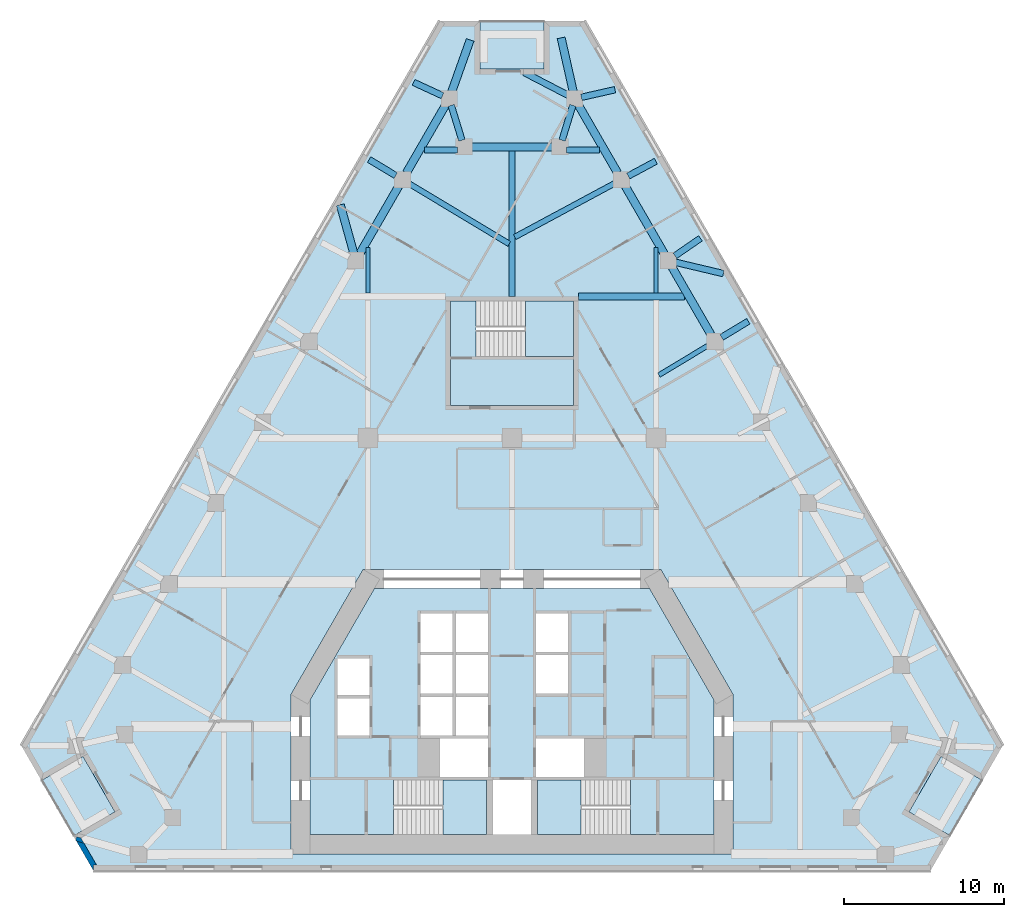
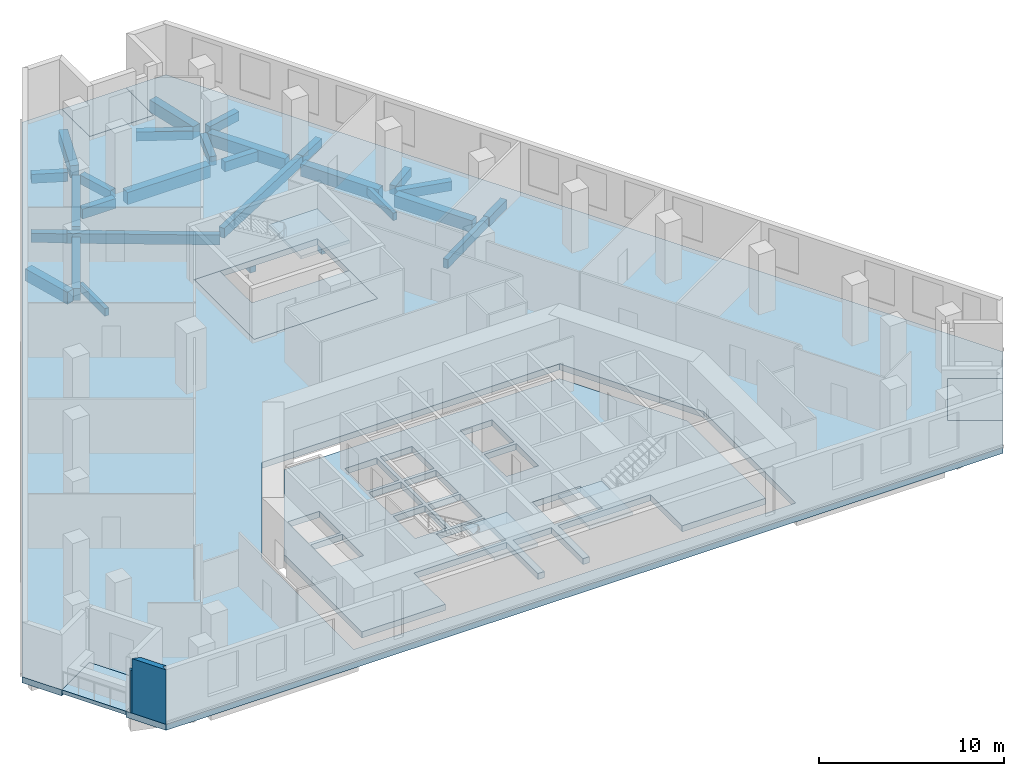
# One storey, part 2 of 9: 28 beams, 9 slabs, 2 walls, 3 elements without a shape of their own.
"""IFC4 building model written with IfcOpenShell, lengths in metres."""

from ifc_helpers import new_model, si_unit, direction, frame, origin, origin_2d, place, context, subcontext, project, spatial, polyline, rectangle, outline, extrude, material, layer, layer_set, material_profile, profile_set, type_object, element, aggregate, save


model = new_model("IFC4")

# Units and contexts
model_context = context("Model", 3, precision=1e-05, world=origin(), true_north=direction((0.0, 1.0)))
body_context = subcontext(model_context, "Body", "Model", "MODEL_VIEW")
ifc_project = project(units=[si_unit("LENGTHUNIT", "METRE"), si_unit("AREAUNIT", "SQUARE_METRE"), si_unit("VOLUMEUNIT", "CUBIC_METRE"), si_unit("PLANEANGLEUNIT", "RADIAN"), si_unit("MASSUNIT", "GRAM", prefix="KILO")], contexts=[model_context])

# Site, building, storey
site_placement = place(None, origin())
site = spatial("IfcSite", under=ifc_project, at=site_placement, CompositionType="ELEMENT")
building_placement = place(site_placement, origin())
building = spatial("IfcBuilding", under=site, at=building_placement, Name="Fogline Exchange Tower", CompositionType="ELEMENT")
storey_placement = place(building_placement, frame((0.0, 0.0, 100.10009765625)))
storey = spatial("IfcBuildingStorey", under=building, at=storey_placement, Name="L21", CompositionType="ELEMENT", Elevation=100.10009765625)

# Beams
ifc_material_1 = material(Name="Concrete C40", Category="concrete")
ifc_material_profile_1 = material_profile(ifc_material_1, rectangle(XDim=0.300048828125, YDim=0.60009765625, at=origin_2d()), Name="RC 300x600")
ifc_profile_set_1 = profile_set([ifc_material_profile_1], Name="Concrete C40")
beam_type_1 = type_object("IfcBeamType", Name="B06", PredefinedType="BEAM", material=ifc_profile_set_1)
beam_1_placement = place(storey_placement, frame((13.195068359375, 33.3623046875, -0.7001953125), z_axis=(-0.856403380279, -0.516307321513, 0.0), x_axis=(0.516307321513, -0.856403380279, 0.0)))
element("IfcBeam", 1, at=beam_1_placement, inside=storey, type_object=beam_type_1, Name="SK018", PredefinedType="BEAM", context=body_context, shape_type="SweptSolid", body=[
    extrude(rectangle(XDim=0.300048828125, YDim=0.60009765625, at=origin_2d()), origin(), (0.0, 0.0, 1.0), 4.694091796875),
])
ifc_material_profile_2 = material_profile(ifc_material_1, rectangle(XDim=0.25, YDim=0.5, at=origin_2d()), Name="RC 250x500")
ifc_profile_set_2 = profile_set([ifc_material_profile_2], Name="Concrete C40")
beam_type_2 = type_object("IfcBeamType", Name="B08", PredefinedType="BEAM", material=ifc_profile_set_2)
for number, where, z_axis, x_axis, name in (
    (2, (-9.0, 36.08203125, -0.650146484375), (0.0, 1.0, 0.0), (-1.0, 0.0, 0.0), "SB006"),
    (3, (9.0, 36.08203125, -0.650146484375), (0.0, 1.0, 0.0), (-1.0, 0.0, 0.0), "SB011"),
):
    element("IfcBeam", number, at=place(storey_placement, frame(where, z_axis=z_axis, x_axis=x_axis)), inside=storey, type_object=beam_type_2, Name=name, PredefinedType="BEAM", context=body_context, shape_type="SweptSolid", body=[
        extrude(rectangle(XDim=0.25, YDim=0.5, at=origin_2d()), origin(), (0.0, 0.0, 1.0), 2.8203125),
    ])
ifc_material_profile_3 = material_profile(ifc_material_1, rectangle(XDim=0.5, YDim=0.800048828125, at=origin_2d()), Name="RC 500x800")
ifc_profile_set_3 = profile_set([ifc_material_profile_3], Name="Concrete C40")
beam_type_3 = type_object("IfcBeamType", Name="B10", PredefinedType="BEAM", material=ifc_profile_set_3)
beam_2_placement = place(storey_placement, frame((12.427001953125, 33.466796875, -0.800048828125), z_axis=(-0.500008041581, 0.866020760926, 0.0), x_axis=(-0.866020760926, -0.500008041581, 0.0)))
element("IfcBeam", 4, at=beam_2_placement, inside=storey, type_object=beam_type_3, Name="RB014", PredefinedType="BEAM", context=body_context, shape_type="SweptSolid", body=[
    extrude(rectangle(XDim=0.5, YDim=0.800048828125, at=origin_2d()), origin(), (0.0, 0.0, 1.0), 4.859375),
])
for number, where, z_axis, x_axis, name in (
    (5, (9.510986328125, 38.51708984375, -0.800048828125), (-0.499970359091, 0.866042516295, 0.0), (-0.866042516295, -0.499970359091, 0.0), "RB015"),
    (6, (6.59521484375, 43.5673828125, -0.800048828125), (-0.499970359091, 0.866042516295, 0.0), (-0.866042516295, -0.499970359091, 0.0), "RB016"),
):
    element("IfcBeam", number, at=place(storey_placement, frame(where, z_axis=z_axis, x_axis=x_axis)), inside=storey, type_object=beam_type_3, Name=name, PredefinedType="BEAM", context=body_context, shape_type="SweptSolid", body=[
        extrude(rectangle(XDim=0.5, YDim=0.800048828125, at=origin_2d()), origin(), (0.0, 0.0, 1.0), 4.859130859375),
    ])
beam_3_placement = place(storey_placement, frame((2.594970703125, 45.19677734375, -0.800048828125), z_axis=(-1.0, 0.0, 0.0), x_axis=(0.0, -1.0, 0.0)))
element("IfcBeam", 7, at=beam_3_placement, inside=storey, type_object=beam_type_3, Name="RB018", PredefinedType="BEAM", context=body_context, shape_type="SweptSolid", body=[
    extrude(rectangle(XDim=0.5, YDim=0.800048828125, at=origin_2d()), origin(), (0.0, 0.0, 1.0), 5.18994140625),
])
for number, where, z_axis, x_axis, name in (
    (8, (-4.165771484375, 47.775634765625, -0.800048828125), (-0.499970359091, -0.866042516295, 0.0), (0.866042516295, -0.499970359091, 0.0), "RB020"),
    (9, (-7.08154296875, 42.725341796875, -0.800048828125), (-0.499970359091, -0.866042516295, 0.0), (0.866042516295, -0.499970359091, 0.0), "RB021"),
):
    element("IfcBeam", number, at=place(storey_placement, frame(where, z_axis=z_axis, x_axis=x_axis)), inside=storey, type_object=beam_type_3, Name=name, PredefinedType="BEAM", context=body_context, shape_type="SweptSolid", body=[
        extrude(rectangle(XDim=0.5, YDim=0.800048828125, at=origin_2d()), origin(), (0.0, 0.0, 1.0), 4.859130859375),
    ])
beam_4_placement = place(storey_placement, frame((-3.77587890625, 48.608642578125, -0.800048828125), z_axis=(0.335684205637, 0.941974582505, 0.0), x_axis=(-0.941974582505, 0.335684205637, 0.0)))
element("IfcBeam", 10, at=beam_4_placement, inside=storey, type_object=beam_type_3, Name="SP028", PredefinedType="BEAM", context=body_context, shape_type="SweptSolid", body=[
    extrude(rectangle(XDim=0.5, YDim=0.800048828125, at=origin_2d()), origin(), (0.0, 0.0, 1.0), 3.462646484375),
])
beam_5_placement = place(storey_placement, frame((3.831298828125, 48.6044921875, -0.800048828125), z_axis=(-0.218823104655, 0.975764545815, 0.0), x_axis=(-0.975764545815, -0.218823104655, 0.0)))
element("IfcBeam", 11, at=beam_5_placement, inside=storey, type_object=beam_type_3, Name="SP029", PredefinedType="BEAM", context=body_context, shape_type="SweptSolid", body=[
    extrude(rectangle(XDim=0.5, YDim=0.800048828125, at=origin_2d()), origin(), (0.0, 0.0, 1.0), 3.482177734375),
])
beam_6_placement = place(storey_placement, frame((-9.8681640625, 38.50537109375, -0.800048828125), z_axis=(-0.267865092627, 0.963456429815, 0.0), x_axis=(-0.963456429815, -0.267865092627, 0.0)))
element("IfcBeam", 12, at=beam_6_placement, inside=storey, type_object=beam_type_3, Name="SP056", PredefinedType="BEAM", context=body_context, shape_type="SweptSolid", body=[
    extrude(rectangle(XDim=0.5, YDim=0.800048828125, at=origin_2d()), origin(), (0.0, 0.0, 1.0), 3.187255859375),
])
ifc_material_profile_4 = material_profile(ifc_material_1, rectangle(XDim=0.39990234375, YDim=0.60009765625, at=origin_2d()), Name="RC 400x600")
ifc_profile_set_4 = profile_set([ifc_material_profile_4], Name="Concrete C40")
beam_type_4 = type_object("IfcBeamType", Name="B11", PredefinedType="BEAM", material=ifc_profile_set_4)
for number, where, z_axis, x_axis, name in (
    (13, (3.79638671875, 47.786376953125, -0.7001953125), (-0.293912792425, -0.9558322397, 0.0), (0.9558322397, -0.293912792425, 0.0), "RB017"),
    (14, (-3.126220703125, 45.60693359375, -0.7001953125), (-0.293912792425, 0.9558322397, 0.0), (-0.9558322397, -0.293912792425, 0.0), "RB019"),
):
    element("IfcBeam", number, at=place(storey_placement, frame(where, z_axis=z_axis, x_axis=x_axis)), inside=storey, type_object=beam_type_4, Name=name, PredefinedType="BEAM", context=body_context, shape_type="SweptSolid", body=[
        extrude(rectangle(XDim=0.39990234375, YDim=0.60009765625, at=origin_2d()), origin(), (0.0, 0.0, 1.0), 2.2802734375),
    ])
beam_7_placement = place(storey_placement, frame((3.504150390625, 48.4140625, -0.7001953125), z_axis=(-0.887487365709, 0.460832047179, 0.0), x_axis=(-0.460832047179, -0.887487365709, 0.0)))
element("IfcBeam", 15, at=beam_7_placement, inside=storey, type_object=beam_type_4, Name="SP034", PredefinedType="BEAM", context=body_context, shape_type="SweptSolid", body=[
    extrude(rectangle(XDim=0.39990234375, YDim=0.60009765625, at=origin_2d()), origin(), (0.0, 0.0, 1.0), 3.0859375),
])
beam_8_placement = place(storey_placement, frame((-7.260498046875, 43.400390625, -0.7001953125), z_axis=(-0.856760264747, 0.515714890953, 0.0), x_axis=(-0.515714890953, -0.856760264747, 0.0)))
element("IfcBeam", 16, at=beam_8_placement, inside=storey, type_object=beam_type_4, Name="SP038", PredefinedType="BEAM", context=body_context, shape_type="SweptSolid", body=[
    extrude(rectangle(XDim=0.39990234375, YDim=0.60009765625, at=origin_2d()), origin(), (0.0, 0.0, 1.0), 1.94287109375),
])
beam_9_placement = place(storey_placement, frame((13.09228515625, 33.30029296875, -0.7001953125), z_axis=(0.85640422403, 0.516305921972, 0.0), x_axis=(-0.516305921972, 0.85640422403, 0.0)))
element("IfcBeam", 17, at=beam_9_placement, inside=storey, type_object=beam_type_4, Name="SP039", PredefinedType="BEAM", context=body_context, shape_type="SweptSolid", body=[
    extrude(rectangle(XDim=0.39990234375, YDim=0.60009765625, at=origin_2d()), origin(), (0.0, 0.0, 1.0), 1.942626953125),
])
beam_10_placement = place(storey_placement, frame((7.2578125, 43.371826171875, -0.7001953125), z_axis=(0.880782843366, 0.473520414377, 0.0), x_axis=(-0.473520414377, 0.880782843366, 0.0)))
element("IfcBeam", 18, at=beam_10_placement, inside=storey, type_object=beam_type_4, Name="SP040", PredefinedType="BEAM", context=body_context, shape_type="SweptSolid", body=[
    extrude(rectangle(XDim=0.39990234375, YDim=0.60009765625, at=origin_2d()), origin(), (0.0, 0.0, 1.0), 1.960205078125),
])
beam_11_placement = place(storey_placement, frame((10.180419921875, 38.389404296875, -0.7001953125), z_axis=(0.823553636513, 0.567238404718, 0.0), x_axis=(-0.567238404718, 0.823553636513, 0.0)))
element("IfcBeam", 19, at=beam_11_placement, inside=storey, type_object=beam_type_4, Name="SP048", PredefinedType="BEAM", context=body_context, shape_type="SweptSolid", body=[
    extrude(rectangle(XDim=0.39990234375, YDim=0.60009765625, at=origin_2d()), origin(), (0.0, 0.0, 1.0), 1.927001953125),
])
beam_12_placement = place(storey_placement, frame((-4.338623046875, 48.388671875, -0.7001953125), z_axis=(-0.908095838529, 0.418762400468, 0.0), x_axis=(-0.418762400468, -0.908095838529, 0.0)))
element("IfcBeam", 20, at=beam_12_placement, inside=storey, type_object=beam_type_4, Name="SP049", PredefinedType="BEAM", context=body_context, shape_type="SweptSolid", body=[
    extrude(rectangle(XDim=0.39990234375, YDim=0.60009765625, at=origin_2d()), origin(), (0.0, 0.0, 1.0), 1.9892578125),
])
beam_13_placement = place(storey_placement, frame((10.16259765625, 37.9990234375, -0.7001953125), z_axis=(0.9729539382, -0.230999208095, 0.0), x_axis=(0.230999208095, 0.9729539382, 0.0)))
element("IfcBeam", 21, at=beam_13_placement, inside=storey, type_object=beam_type_4, Name="SP054", PredefinedType="BEAM", context=body_context, shape_type="SweptSolid", body=[
    extrude(rectangle(XDim=0.39990234375, YDim=0.60009765625, at=origin_2d()), origin(), (0.0, 0.0, 1.0), 3.11669921875),
])
beam_14_placement = place(storey_placement, frame((4.33056640625, 48.288818359375, -0.7001953125), z_axis=(0.975402518888, 0.220431227704, 0.0), x_axis=(-0.220431227704, 0.975402518888, 0.0)))
element("IfcBeam", 22, at=beam_14_placement, inside=storey, type_object=beam_type_4, Name="SP060", PredefinedType="BEAM", context=body_context, shape_type="SweptSolid", body=[
    extrude(rectangle(XDim=0.39990234375, YDim=0.60009765625, at=origin_2d()), origin(), (0.0, 0.0, 1.0), 2.1552734375),
])
ifc_material_profile_5 = material_profile(ifc_material_1, rectangle(XDim=0.39990234375, YDim=0.64990234375, at=origin_2d()), Name="RC 400x650")
ifc_profile_set_5 = profile_set([ifc_material_profile_5], Name="Concrete C40")
beam_type_5 = type_object("IfcBeamType", Name="B13", PredefinedType="BEAM", material=ifc_profile_set_5)
for number, where, z_axis, x_axis, name in (
    (23, (-5.4794921875, 45.0, -0.72509765625), (1.0, 0.0, 0.0), (0.0, 1.0, 0.0), "GB011"),
    (24, (3.405029296875, 45.0, -0.72509765625), (1.0, 0.0, 0.0), (0.0, 1.0, 0.0), "GB012"),
):
    element("IfcBeam", number, at=place(storey_placement, frame(where, z_axis=z_axis, x_axis=x_axis)), inside=storey, type_object=beam_type_5, Name=name, PredefinedType="BEAM", context=body_context, shape_type="SweptSolid", body=[
        extrude(rectangle(XDim=0.39990234375, YDim=0.64990234375, at=origin_2d()), origin(), (0.0, 0.0, 1.0), 2.074462890625),
    ])
ifc_material_profile_6 = material_profile(ifc_material_1, rectangle(XDim=0.35009765625, YDim=0.64990234375, at=origin_2d()), Name="RC 350x650")
ifc_profile_set_6 = profile_set([ifc_material_profile_6], Name="Concrete C40")
beam_type_6 = type_object("IfcBeamType", Name="B16", PredefinedType="BEAM", material=ifc_profile_set_6)
beam_15_placement = place(storey_placement, frame((0.0, 35.85693359375, -0.72509765625), z_axis=(0.0, 1.0, 0.0), x_axis=(-1.0, 0.0, 0.0)))
element("IfcBeam", 25, at=beam_15_placement, inside=storey, type_object=beam_type_6, Name="SB008", PredefinedType="BEAM", context=body_context, shape_type="SweptSolid", body=[
    extrude(rectangle(XDim=0.35009765625, YDim=0.64990234375, at=origin_2d()), origin(), (0.0, 0.0, 1.0), 9.08984375),
])
beam_16_placement = place(storey_placement, frame((-7.36328125, 43.46240234375, -0.72509765625), z_axis=(0.85674487674, -0.515740454279, 0.0), x_axis=(0.515740454279, 0.85674487674, 0.0)))
element("IfcBeam", 26, at=beam_16_placement, inside=storey, type_object=beam_type_6, Name="SK017", PredefinedType="BEAM", context=body_context, shape_type="SweptSolid", body=[
    extrude(rectangle(XDim=0.35009765625, YDim=0.64990234375, at=origin_2d()), origin(), (0.0, 0.0, 1.0), 8.39013671875),
])
beam_17_placement = place(storey_placement, frame((7.36328125, 43.4287109375, -0.72509765625), z_axis=(-0.880757180515, -0.47356814607, 0.0), x_axis=(0.47356814607, -0.880757180515, 0.0)))
element("IfcBeam", 27, at=beam_17_placement, inside=storey, type_object=beam_type_6, Name="SK019", PredefinedType="BEAM", context=body_context, shape_type="SweptSolid", body=[
    extrude(rectangle(XDim=0.35009765625, YDim=0.64990234375, at=origin_2d()), origin(), (0.0, 0.0, 1.0), 8.161376953125),
])
ifc_material_profile_7 = material_profile(ifc_material_1, rectangle(XDim=0.449951171875, YDim=0.800048828125, at=origin_2d()), Name="RC 450x800")
ifc_profile_set_7 = profile_set([ifc_material_profile_7], Name="Concrete C40")
beam_type_7 = type_object("IfcBeamType", Name="B18", PredefinedType="BEAM", material=ifc_profile_set_7)
beam_18_placement = place(storey_placement, frame((4.14990234375, 35.85693359375, -0.800048828125), z_axis=(1.0, 0.0, 0.0), x_axis=(0.0, 1.0, 0.0)))
element("IfcBeam", 28, at=beam_18_placement, inside=storey, type_object=beam_type_7, Name="GB010", PredefinedType="BEAM", context=body_context, shape_type="SweptSolid", body=[
    extrude(rectangle(XDim=0.449951171875, YDim=0.800048828125, at=origin_2d()), origin(), (0.0, 0.0, 1.0), 6.6083984375),
])

# Slabs
ifc_layer_1 = layer(ifc_material_1, 0.25)
ifc_layer_set_1 = layer_set([ifc_layer_1], Name="DK1")
slab_type_1 = type_object("IfcSlabType", Name="DK1", PredefinedType="FLOOR", material=ifc_layer_set_1)
slab_1_placement = place(storey_placement, frame((0.0, 0.0, -0.25)))
element("IfcSlab", 29, at=slab_1_placement, inside=storey, type_object=slab_type_1, Name="Balcony L21 SW", PredefinedType="FLOOR", context=body_context, shape_type="SweptSolid", body=[
    extrude(outline(polyline([(-29.387939453125, 5.629150390625), (-27.387939453125, 2.1650390625), (-24.7900390625, 3.6650390625), (-26.7900390625, 7.129150390625), (-29.387939453125, 5.629150390625)])), origin(), (0.0, 0.0, 1.0), 0.25),
])
slab_2_placement = place(storey_placement, frame((0.0, 0.0, -0.25)))
element("IfcSlab", 30, at=slab_2_placement, inside=storey, type_object=slab_type_1, Name="Balcony L21 SE", PredefinedType="FLOOR", context=body_context, shape_type="SweptSolid", body=[
    extrude(outline(polyline([(27.387939453125, 2.1650390625), (29.387939453125, 5.629150390625), (26.7900390625, 7.129150390625), (24.7900390625, 3.6650390625), (27.387939453125, 2.1650390625)])), origin(), (0.0, 0.0, 1.0), 0.25),
])
slab_3_placement = place(storey_placement, frame((0.0, 0.0, -0.25)))
element("IfcSlab", 31, at=slab_3_placement, inside=storey, type_object=slab_type_1, Name="Balcony L21 N", PredefinedType="FLOOR", context=body_context, shape_type="SweptSolid", body=[
    extrude(outline(polyline([(2.0, 53.066650390625), (-2.0, 53.066650390625), (-2.0, 50.066650390625), (2.0, 50.066650390625), (2.0, 53.066650390625)])), origin(), (0.0, 0.0, 1.0), 0.25),
])
ifc_layer_2 = layer(ifc_material_1, 0.39990234375)
ifc_layer_set_2 = layer_set([ifc_layer_2], Name="S03")
slab_type_2 = type_object("IfcSlabType", Name="S03", PredefinedType="FLOOR", material=ifc_layer_set_2)
slab_4_placement = place(storey_placement, frame((0.0, 0.0, -0.400146484375)))
element("IfcSlab", 32, at=slab_4_placement, inside=storey, type_object=slab_type_2, Name="SLAB L21", PredefinedType="FLOOR", context=body_context, shape_type="SweptSolid", body=[
    extrude(outline(polyline([(-2.0, 53.066650390625), (-4.5, 53.066650390625), (-30.637939453125, 7.794189453125), (-29.387939453125, 5.629150390625), (-26.7900390625, 7.129150390625), (-24.7900390625, 3.6650390625), (-27.387939453125, 2.1650390625), (-26.137939453125, 0.0), (26.137939453125, 0.0), (27.387939453125, 2.1650390625), (24.7900390625, 3.6650390625), (26.7900390625, 7.129150390625), (29.387939453125, 5.629150390625), (30.637939453125, 7.794189453125), (4.5, 53.066650390625), (2.0, 53.066650390625), (2.0, 50.066650390625), (-2.0, 50.066650390625), (-2.0, 53.066650390625)]), holes=[polyline([(13.800048828125, 10.9990234375), (13.800048828125, 1.050048828125), (-13.800048828125, 1.050048828125), (-13.800048828125, 10.9990234375), (-9.296142578125, 18.800048828125), (9.296142578125, 18.800048828125), (13.800048828125, 10.9990234375)]), polyline([(3.85009765625, 35.556884765625), (3.85009765625, 29.056884765625), (-3.85009765625, 29.056884765625), (-3.85009765625, 35.556884765625), (3.85009765625, 35.556884765625)])]), origin(), (0.0, 0.0, 1.0), 0.400146484375),
])
slab_5_placement = place(storey_placement, frame((0.0, 0.0, -0.400146484375)))
element("IfcSlab", 33, at=slab_5_placement, inside=storey, type_object=slab_type_2, Name="Core floor slab", PredefinedType="FLOOR", context=body_context, shape_type="SweptSolid", body=[
    extrude(outline(polyline([(-12.60009765625, 2.25), (-12.60009765625, 10.677490234375), (-8.603271484375, 17.60009765625), (8.603271484375, 17.60009765625), (12.60009765625, 10.677490234375), (12.60009765625, 2.25), (7.389892578125, 2.25), (7.389892578125, 5.64990234375), (1.60009765625, 5.64990234375), (1.60009765625, 2.25), (1.199951171875, 2.25), (1.199951171875, 5.64990234375), (-1.199951171875, 5.64990234375), (-1.199951171875, 2.25), (-1.60009765625, 2.25), (-1.60009765625, 5.64990234375), (-7.389892578125, 5.64990234375), (-7.389892578125, 2.25), (-12.60009765625, 2.25)]), holes=[polyline([(-1.5, 8.25), (-4.5, 8.25), (-4.5, 5.85009765625), (-1.5, 5.85009765625), (-1.5, 8.25)]), polyline([(-8.89990234375, 10.75), (-10.89990234375, 10.75), (-10.89990234375, 8.449951171875), (-8.89990234375, 8.449951171875), (-8.89990234375, 10.75)]), polyline([(-3.699951171875, 10.85009765625), (-5.699951171875, 10.85009765625), (-5.699951171875, 8.449951171875), (-3.699951171875, 8.449951171875), (-3.699951171875, 10.85009765625)]), polyline([(-1.5, 10.85009765625), (-3.5, 10.85009765625), (-3.5, 8.449951171875), (-1.5, 8.449951171875), (-1.5, 10.85009765625)]), polyline([(-8.89990234375, 13.25), (-10.89990234375, 13.25), (-10.89990234375, 10.949951171875), (-8.89990234375, 10.949951171875), (-8.89990234375, 13.25)]), polyline([(-3.699951171875, 13.449951171875), (-5.699951171875, 13.449951171875), (-5.699951171875, 11.050048828125), (-3.699951171875, 11.050048828125), (-3.699951171875, 13.449951171875)]), polyline([(-3.699951171875, 16.050048828125), (-5.699951171875, 16.050048828125), (-5.699951171875, 13.64990234375), (-3.699951171875, 13.64990234375), (-3.699951171875, 16.050048828125)]), polyline([(4.5, 8.25), (1.5, 8.25), (1.5, 5.85009765625), (4.5, 5.85009765625), (4.5, 8.25)]), polyline([(-1.5, 13.449951171875), (-3.5, 13.449951171875), (-3.5, 11.050048828125), (-1.5, 11.050048828125), (-1.5, 13.449951171875)]), polyline([(3.5, 13.449951171875), (1.5, 13.449951171875), (1.5, 11.050048828125), (3.5, 11.050048828125), (3.5, 13.449951171875)]), polyline([(-1.5, 16.050048828125), (-3.5, 16.050048828125), (-3.5, 13.64990234375), (-1.5, 13.64990234375), (-1.5, 16.050048828125)]), polyline([(3.5, 16.050048828125), (1.5, 16.050048828125), (1.5, 13.64990234375), (3.5, 13.64990234375), (3.5, 16.050048828125)])]), origin(), (0.0, 0.0, 1.0), 0.400146484375),
])
slab_6_placement = place(storey_placement, frame((0.0, 0.0, -0.400146484375)))
element("IfcSlab", 34, at=slab_6_placement, inside=storey, type_object=slab_type_2, Name="Stair enclosure floor slab", PredefinedType="FLOOR", context=body_context, shape_type="SweptSolid", body=[
    extrude(outline(polyline([(3.85009765625, 29.056884765625), (-3.85009765625, 29.056884765625), (-3.85009765625, 35.556884765625), (-2.239990234375, 35.556884765625), (-2.239990234375, 32.10693359375), (3.85009765625, 32.10693359375), (3.85009765625, 29.056884765625)])), origin(), (0.0, 0.0, 1.0), 0.400146484375),
])

# Stair, slab
stair_type = type_object("IfcStairType", Name="STR24-1667", PredefinedType="HALF_TURN_STAIR", material=ifc_material_1)
stair_1_placement = place(storey_placement, origin())
stair_1 = element("IfcStair", 35, at=stair_1_placement, inside=storey, type_object=stair_type, Name="Stair ST1", PredefinedType="HALF_TURN_STAIR")
ifc_layer_3 = layer(ifc_material_1, 0.199951171875)
ifc_layer_set_3 = layer_set([ifc_layer_3], Name="SL200")
slab_type_3 = type_object("IfcSlabType", Name="SL200", PredefinedType="LANDING", material=ifc_layer_set_3)
slab_7_placement = place(storey_placement, frame((0.0, 0.0, 1.7998046875)))
slab_7 = element("IfcSlab", 36, at=slab_7_placement, type_object=slab_type_3, Name="ST1 landing 1", PredefinedType="LANDING", context=body_context, shape_type="SweptSolid", body=[
    extrude(outline(polyline([(-4.320068359375, 2.25), (-1.60009765625, 2.25), (-1.60009765625, 5.64990234375), (-4.320068359375, 5.64990234375), (-4.320068359375, 2.25)])), origin(), (0.0, 0.0, 1.0), 0.2001953125),
])
aggregate(stair_1, [slab_7])

stair_2_placement = place(storey_placement, origin())
stair_2 = element("IfcStair", 37, at=stair_2_placement, inside=storey, type_object=stair_type, Name="Stair ST2", PredefinedType="HALF_TURN_STAIR")
slab_8_placement = place(storey_placement, frame((0.0, 0.0, 1.7998046875)))
slab_8 = element("IfcSlab", 38, at=slab_8_placement, type_object=slab_type_3, Name="ST2 landing 1", PredefinedType="LANDING", context=body_context, shape_type="SweptSolid", body=[
    extrude(outline(polyline([(1.60009765625, 2.25), (4.320068359375, 2.25), (4.320068359375, 5.64990234375), (1.60009765625, 5.64990234375), (1.60009765625, 2.25)])), origin(), (0.0, 0.0, 1.0), 0.2001953125),
])
aggregate(stair_2, [slab_8])

stair_3_placement = place(storey_placement, origin())
stair_3 = element("IfcStair", 39, at=stair_3_placement, inside=storey, type_object=stair_type, Name="Stair ST3", PredefinedType="HALF_TURN_STAIR")
slab_9_placement = place(storey_placement, frame((0.0, 0.0, 1.7998046875)))
slab_9 = element("IfcSlab", 40, at=slab_9_placement, type_object=slab_type_3, Name="ST3 landing 1", PredefinedType="LANDING", context=body_context, shape_type="SweptSolid", body=[
    extrude(outline(polyline([(0.830078125, 32.10693359375), (3.85009765625, 32.10693359375), (3.85009765625, 35.556884765625), (0.830078125, 35.556884765625), (0.830078125, 32.10693359375)])), origin(), (0.0, 0.0, 1.0), 0.2001953125),
])
aggregate(stair_3, [slab_9])

# Walls
ifc_material_2 = material(Name="Brick masonry", Category="masonry")
ifc_layer_4 = layer(ifc_material_2, 0.340087890625)
ifc_layer_set_4 = layer_set([ifc_layer_4], Name="FW1")
wall_type = type_object("IfcWallType", Name="FW1", PredefinedType="SOLIDWALL", material=ifc_layer_set_4)
wall_1_placement = place(storey_placement, origin())
element("IfcWall", 41, at=wall_1_placement, inside=storey, type_object=wall_type, Name="Brick wall L21 SW-c2", PredefinedType="SOLIDWALL", context=body_context, shape_type="SweptSolid", body=[
    extrude(outline(polyline([(-27.248291015625, 1.921875), (-27.194091796875, 2.11376953125), (-26.923095703125, 2.041015625), (-26.728271484375, 1.70361328125), (-27.19921875, 1.8369140625), (-27.248291015625, 1.921875)])), origin(), (0.0, 0.0, 1.0), 2.7998046875),
])
wall_2_placement = place(storey_placement, origin())
element("IfcWall", 42, at=wall_2_placement, inside=storey, type_object=wall_type, Name="Brick wall L21 SW-c2", PredefinedType="SOLIDWALL", context=body_context, shape_type="SweptSolid", body=[
    extrude(outline(polyline([(-26.137451171875, 0.33935546875), (-26.137451171875, -0.0009765625), (-26.137939453125, -0.001220703125), (-27.19921875, 1.8369140625), (-26.728271484375, 1.70361328125), (-25.940673828125, 0.33935546875), (-26.137451171875, 0.33935546875)])), origin(), (0.0, 0.0, 1.0), 3.599853515625),
])

save(model, "model.ifc")
